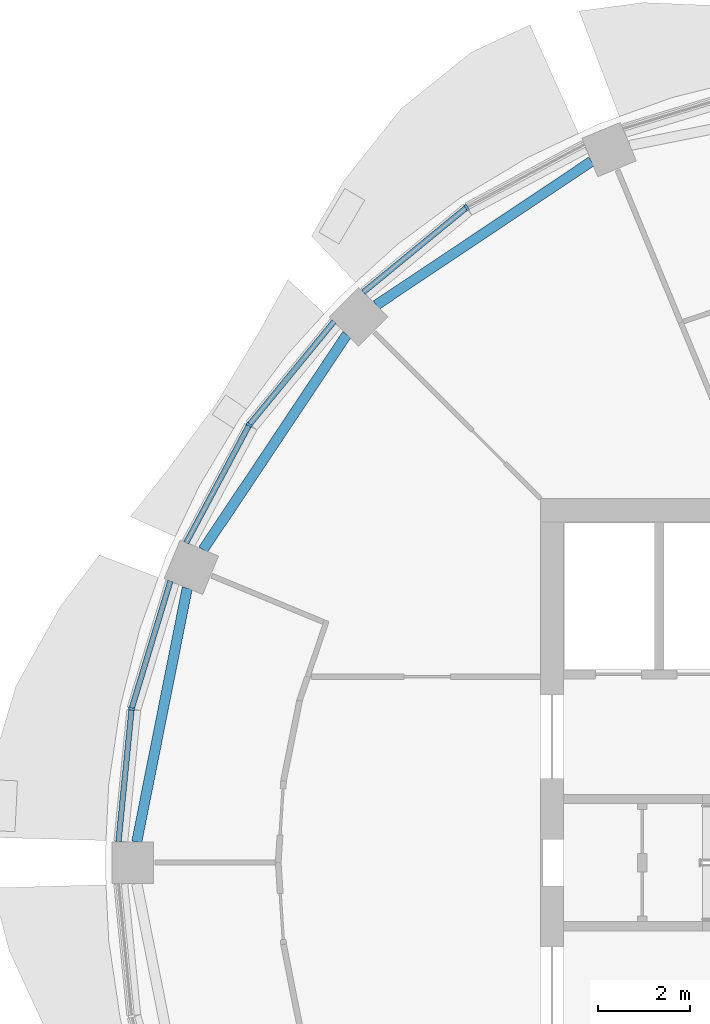
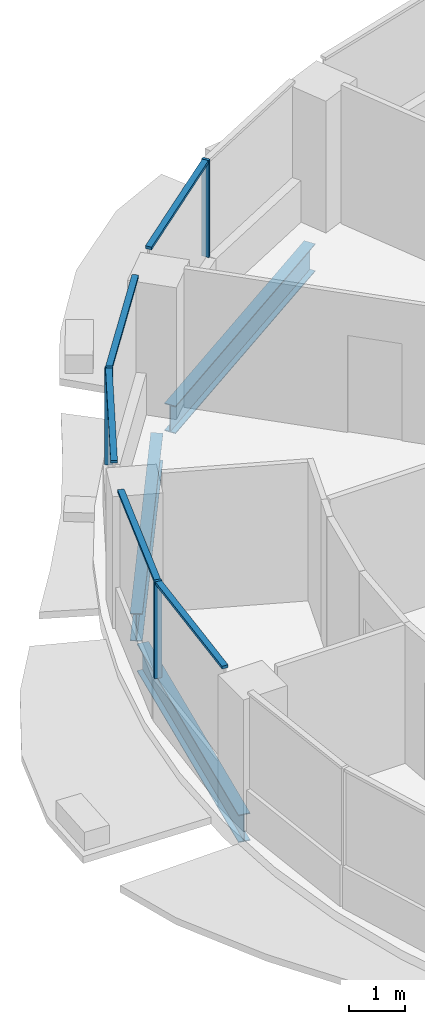
# One storey, part 4 of 15: 8 members, 3 beams, 3 elements without a shape of their own.
"""IFC4 building model written with IfcOpenShell, lengths in metres."""

from ifc_helpers import new_model, si_unit, direction, frame, origin, origin_2d, place, context, subcontext, project, spatial, rectangle, i_section, extrude, material, material_profile, profile_set, type_object, element, aggregate, save


model = new_model("IFC4")

# Units and contexts
model_context = context("Model", 3, precision=1e-05, world=origin(), true_north=direction((0.0, 1.0)))
body_context = subcontext(model_context, "Body", "Model", "MODEL_VIEW")
ifc_project = project(units=[si_unit("LENGTHUNIT", "METRE"), si_unit("AREAUNIT", "SQUARE_METRE"), si_unit("VOLUMEUNIT", "CUBIC_METRE"), si_unit("PLANEANGLEUNIT", "RADIAN"), si_unit("MASSUNIT", "GRAM", prefix="KILO")], contexts=[model_context])

# Site, building, storey
site_placement = place(None, origin())
site = spatial("IfcSite", under=ifc_project, at=site_placement, CompositionType="ELEMENT")
building_placement = place(site_placement, origin())
building = spatial("IfcBuilding", under=site, at=building_placement, Name="Polderwave Tower", CompositionType="ELEMENT")
storey_placement = place(building_placement, frame((0.0, 0.0, 201.050048828125)))
storey = spatial("IfcBuildingStorey", under=building, at=storey_placement, Name="L54", CompositionType="ELEMENT", Elevation=201.050048828125)

# Curtain wall, member
ifc_material_1 = material(Name="Aluminium 6063-T6 and glass", Category="aluminium")
curtain_wall_type = type_object("IfcCurtainWallType", Name="Office ribbon glazing wall", PredefinedType="NOTDEFINED", material=ifc_material_1)
curtain_wall_1_placement = place(storey_placement, origin())
curtain_wall_1 = element("IfcCurtainWall", 1, at=curtain_wall_1_placement, inside=storey, type_object=curtain_wall_type, Name="CW3 L54 05", PredefinedType="NOTDEFINED")
ifc_material_2 = material(Name="Aluminium 6063-T6", Category="aluminium")
ifc_material_profile_1 = material_profile(ifc_material_2, rectangle(XDim=0.139892578125, YDim=0.054931640625, at=origin_2d()), Name="AL 55x140")
ifc_profile_set_1 = profile_set([ifc_material_profile_1], Name="Aluminium 6063-T6")
member_type_1 = type_object("IfcMemberType", Name="Office ribbon glazing mullion 55x140", PredefinedType="MULLION", material=ifc_profile_set_1)
member_1_placement = place(storey_placement, frame((-9.471923828125, 14.177001953125, 0.89990234375), z_axis=(0.0, 0.0, 1.0), x_axis=(0.555554269847, -0.831480278332, 0.0)))
member_1 = element("IfcMember", 2, at=member_1_placement, type_object=member_type_1, Name="CW3 mullion 1", PredefinedType="MULLION", context=body_context, shape_type="SweptSolid", body=[
    extrude(rectangle(XDim=0.139892578125, YDim=0.054931640625, at=origin_2d()), origin(), (0.0, 0.0, 1.0), 2.10009765625),
])

curtain_wall_2_placement = place(storey_placement, origin())
curtain_wall_2 = element("IfcCurtainWall", 3, at=curtain_wall_2_placement, inside=storey, type_object=curtain_wall_type, Name="CW3 L54 06", PredefinedType="NOTDEFINED")
member_2_placement = place(storey_placement, frame((-14.177001953125, 9.471923828125, 0.89990234375), z_axis=(0.0, 0.0, 1.0), x_axis=(0.831480278332, -0.555554269847, 0.0)))
member_2 = element("IfcMember", 4, at=member_2_placement, type_object=member_type_1, Name="CW3 mullion 1", PredefinedType="MULLION", context=body_context, shape_type="SweptSolid", body=[
    extrude(rectangle(XDim=0.139892578125, YDim=0.054931640625, at=origin_2d()), origin(), (0.0, 0.0, 1.0), 2.10009765625),
])

curtain_wall_3_placement = place(storey_placement, origin())
curtain_wall_3 = element("IfcCurtainWall", 5, at=curtain_wall_3_placement, inside=storey, type_object=curtain_wall_type, Name="CW3 L54 07", PredefinedType="NOTDEFINED")
member_3_placement = place(storey_placement, frame((-16.721923828125, 3.325927734375, 0.89990234375), z_axis=(0.0, 0.0, 1.0), x_axis=(0.980762460409, -0.195205010829, 0.0)))
member_3 = element("IfcMember", 6, at=member_3_placement, type_object=member_type_1, Name="CW3 mullion 1", PredefinedType="MULLION", context=body_context, shape_type="SweptSolid", body=[
    extrude(rectangle(XDim=0.139892578125, YDim=0.054931640625, at=origin_2d()), origin(), (0.0, 0.0, 1.0), 2.10009765625),
])

# Member
ifc_material_profile_2 = material_profile(ifc_material_2, rectangle(XDim=0.1201171875, YDim=0.06005859375, at=origin_2d()), Name="AL 60x120")
ifc_profile_set_2 = profile_set([ifc_material_profile_2], Name="Aluminium 6063-T6")
member_type_2 = type_object("IfcMemberType", Name="Office ribbon glazing transom 60x120", PredefinedType="USERDEFINED", material=ifc_profile_set_2)
member_4_placement = place(storey_placement, frame((-9.493408203125, 14.15966796875, 2.969970703125), z_axis=(-0.773014408313, -0.634388465012, 0.0), x_axis=(0.634388465012, -0.773014408313, 0.0)))
member_4 = element("IfcMember", 7, at=member_4_placement, type_object=member_type_2, Name="CW3 transom 2", ObjectType="TRANSOM", PredefinedType="USERDEFINED", context=body_context, shape_type="SweptSolid", body=[
    extrude(rectangle(XDim=0.1201171875, YDim=0.06005859375, at=origin_2d()), origin(), (0.0, 0.0, 1.0), 2.863525390625),
])

aggregate(curtain_wall_1, [member_1, member_4])

member_5_placement = place(storey_placement, frame((-12.343017578125, 11.70703125, 2.969970703125), z_axis=(-0.634388465012, -0.773014408313, 0.0), x_axis=(0.773014408313, -0.634388465012, 0.0)))
member_5 = element("IfcMember", 8, at=member_5_placement, type_object=member_type_2, Name="CW3 transom 1", ObjectType="TRANSOM", PredefinedType="USERDEFINED", context=body_context, shape_type="SweptSolid", body=[
    extrude(rectangle(XDim=0.1201171875, YDim=0.06005859375, at=origin_2d()), origin(), (0.0, 0.0, 1.0), 2.863525390625),
])

member_6_placement = place(storey_placement, frame((-14.18994140625, 9.44775390625, 2.969970703125), z_axis=(-0.471447059803, -0.881894364311, 0.0), x_axis=(0.881894364311, -0.471447059803, 0.0)))
member_6 = element("IfcMember", 9, at=member_6_placement, type_object=member_type_2, Name="CW3 transom 2", ObjectType="TRANSOM", PredefinedType="USERDEFINED", context=body_context, shape_type="SweptSolid", body=[
    extrude(rectangle(XDim=0.1201171875, YDim=0.06005859375, at=origin_2d()), origin(), (0.0, 0.0, 1.0), 2.861572265625),
])

aggregate(curtain_wall_2, [member_2, member_5, member_6])

member_7_placement = place(storey_placement, frame((-15.883056640625, 6.092041015625, 2.969970703125), z_axis=(-0.290272457704, -0.956944042407, 0.0), x_axis=(0.956944042407, -0.290272457704, 0.0)))
member_7 = element("IfcMember", 10, at=member_7_placement, type_object=member_type_2, Name="CW3 transom 1", ObjectType="TRANSOM", PredefinedType="USERDEFINED", context=body_context, shape_type="SweptSolid", body=[
    extrude(rectangle(XDim=0.1201171875, YDim=0.06005859375, at=origin_2d()), origin(), (0.0, 0.0, 1.0), 2.863037109375),
])

member_8_placement = place(storey_placement, frame((-16.724609375, 3.298583984375, 2.969970703125), z_axis=(-0.098338314772, -0.99515304142, 0.0), x_axis=(0.99515304142, -0.098338314772, 0.0)))
member_8 = element("IfcMember", 11, at=member_8_placement, type_object=member_type_2, Name="CW3 transom 2", ObjectType="TRANSOM", PredefinedType="USERDEFINED", context=body_context, shape_type="SweptSolid", body=[
    extrude(rectangle(XDim=0.1201171875, YDim=0.06005859375, at=origin_2d()), origin(), (0.0, 0.0, 1.0), 2.862548828125),
])

aggregate(curtain_wall_3, [member_3, member_7, member_8])

# Beams
ifc_material_3 = material(Name="Steel S355", Category="steel")
ifc_material_profile_3 = material_profile(ifc_material_3, i_section(OverallWidth=0.219970703125, OverallDepth=0.60009765625, WebThickness=0.011962890625, FlangeThickness=0.01904296875, at=origin_2d()), Name="IPE 600")
ifc_profile_set_3 = profile_set([ifc_material_profile_3], Name="Steel S355")
beam_type = type_object("IfcBeamType", Name="RING BEAM IPE 600", PredefinedType="BEAM", material=ifc_profile_set_3)
for number, where, z_axis, x_axis, name in (
    (12, (-6.772216796875, 15.173828125, -0.650146484375), (-0.831472877453, -0.555565346345, 0.0), (0.555565346345, -0.831472877453, 0.0), "ST-RB-L54-05"),
    (13, (-12.0634765625, 11.42724609375, -0.650146484375), (-0.555565346345, -0.831472877453, 0.0), (0.831472877453, -0.555565346345, 0.0), "ST-RB-L54-06"),
    (14, (-15.518310546875, 5.94091796875, -0.650146484375), (-0.195101310105, -0.980783094673, 0.0), (0.980783094673, -0.195101310105, 0.0), "ST-RB-L54-07"),
):
    element("IfcBeam", number, at=place(storey_placement, frame(where, z_axis=z_axis, x_axis=x_axis)), inside=storey, type_object=beam_type, Name=name, PredefinedType="BEAM", context=body_context, shape_type="SweptSolid", body=[
        extrude(i_section(OverallWidth=0.219970703125, OverallDepth=0.60009765625, WebThickness=0.011962890625, FlangeThickness=0.01904296875, at=origin_2d()), origin(), (0.0, 0.0, 1.0), 5.5986328125),
    ])

save(model, "model.ifc")
